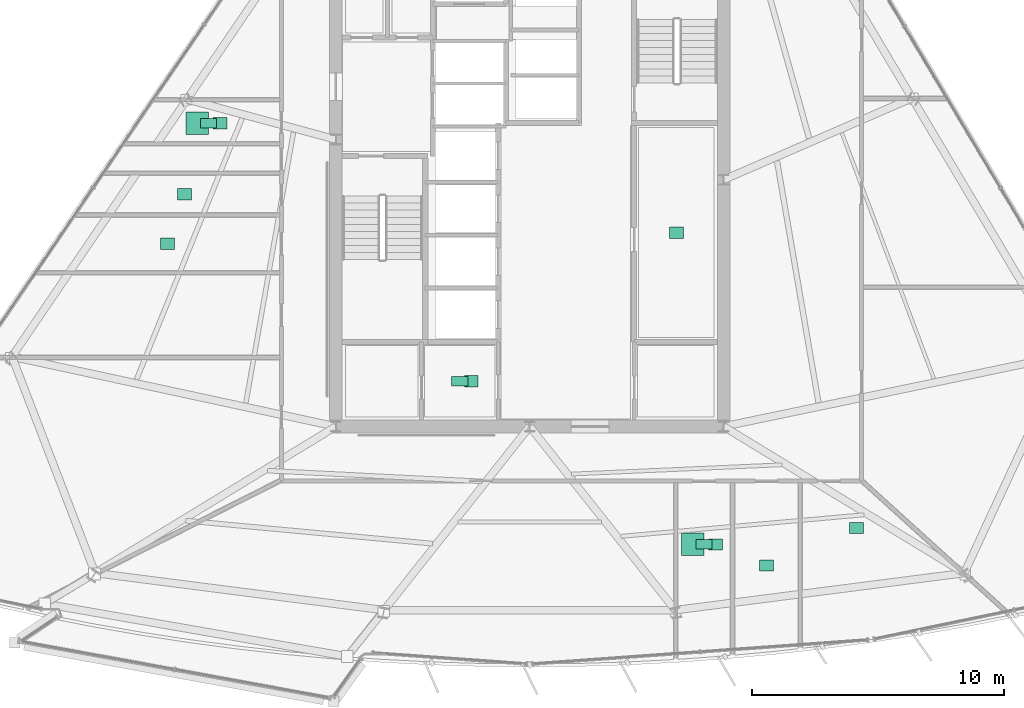
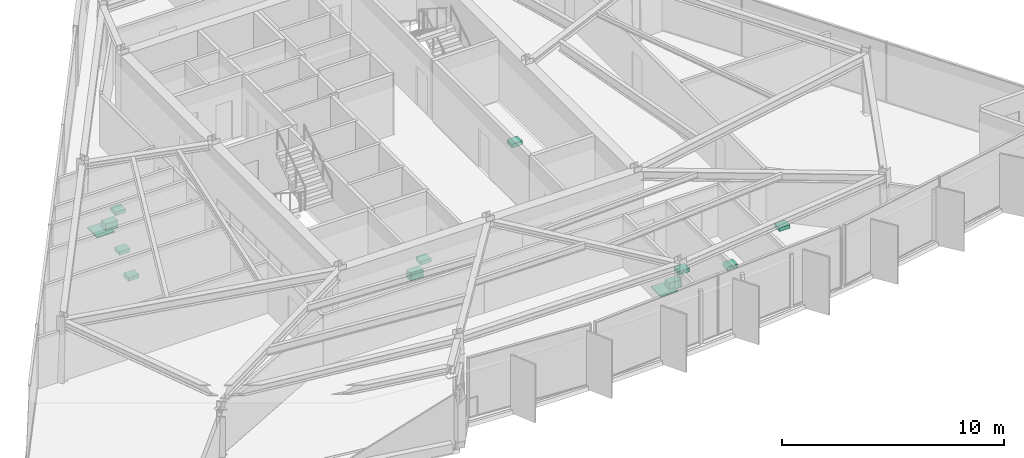
# One storey, part 14 of 14: 13 sanitary terminals.
"""IFC4 building model written with IfcOpenShell, lengths in metres."""

from ifc_helpers import new_model, si_unit, direction, frame, origin, origin_2d, place, context, subcontext, project, spatial, rectangle, extrude, material, type_object, element, save


model = new_model("IFC4")

# Units and contexts
model_context = context("Model", 3, precision=1e-05, world=origin(), true_north=direction((0.0, 1.0)))
body_context = subcontext(model_context, "Body", "Model", "MODEL_VIEW")
ifc_project = project(units=[si_unit("LENGTHUNIT", "METRE"), si_unit("AREAUNIT", "SQUARE_METRE"), si_unit("VOLUMEUNIT", "CUBIC_METRE"), si_unit("PLANEANGLEUNIT", "RADIAN"), si_unit("MASSUNIT", "GRAM", prefix="KILO")], contexts=[model_context])

# Site, building, storey
site_placement = place(None, origin())
site = spatial("IfcSite", under=ifc_project, at=site_placement, CompositionType="ELEMENT")
building_placement = place(site_placement, origin())
building = spatial("IfcBuilding", under=site, at=building_placement, Name="Savorim Split Tower", CompositionType="ELEMENT")
storey_placement = place(building_placement, frame((0.0, 0.0, 178.199951171875)))
storey = spatial("IfcBuildingStorey", under=building, at=storey_placement, Name="L47", CompositionType="ELEMENT", Elevation=178.199951171875)

# Sanitary terminals
ifc_material = material(Name="Vitreous China Sanitaryware")
sanitary_terminal_type_1 = type_object("IfcSanitaryTerminalType", Name="SAN-SHW-900", PredefinedType="SHOWER", material=ifc_material)
for number, where, z_axis, x_axis, name in (
    (1, (6.475341796875, -14.08447265625, 0.0), (0.0, 0.0, 1.0), (1.0, 0.0, 0.0), "L47 Shared Bathroom Shower"),
    (2, (-13.2080078125, 2.64794921875, 0.0), (0.0, 0.0, 1.0), (1.0, 0.0, 0.0), "L47 Shared Bathroom Shower"),
):
    element("IfcSanitaryTerminal", number, at=place(storey_placement, frame(where, z_axis=z_axis, x_axis=x_axis)), inside=storey, type_object=sanitary_terminal_type_1, Name=name, PredefinedType="SHOWER", context=body_context, shape_type="SweptSolid", body=[
        extrude(rectangle(XDim=0.89990234375, YDim=0.89990234375, at=origin_2d()), origin(), (0.0, 0.0, 1.0), 0.080078125),
    ])
sanitary_terminal_type_2 = type_object("IfcSanitaryTerminalType", Name="SAN-WC-PAN", PredefinedType="TOILETPAN", material=ifc_material)
for number, where, z_axis, x_axis, name in (
    (3, (-2.77490234375, -7.60009765625, 0.0), (0.0, 0.0, 1.0), (1.0, 0.0, 0.0), "L47 Accessible WC WC Pan"),
    (4, (6.92529296875, -14.08447265625, 0.0), (0.0, 0.0, 1.0), (1.0, 0.0, 0.0), "L47 Shared Bathroom WC Pan"),
    (5, (-12.7578125, 2.64794921875, 0.0), (0.0, 0.0, 1.0), (1.0, 0.0, 0.0), "L47 Shared Bathroom WC Pan"),
):
    element("IfcSanitaryTerminal", number, at=place(storey_placement, frame(where, z_axis=z_axis, x_axis=x_axis)), inside=storey, type_object=sanitary_terminal_type_2, Name=name, PredefinedType="TOILETPAN", context=body_context, shape_type="SweptSolid", body=[
        extrude(rectangle(XDim=0.64990234375, YDim=0.3798828125, at=origin_2d()), origin(), (0.0, 0.0, 1.0), 0.419921875),
    ])
sanitary_terminal_type_3 = type_object("IfcSanitaryTerminalType", Name="SAN-WHB-550", PredefinedType="WASHHANDBASIN", material=ifc_material)
for number, where, z_axis, x_axis, name in (
    (6, (5.824951171875, -1.699951171875, 0.75), (0.0, 0.0, 1.0), (1.0, 0.0, 0.0), "L47 Community Laundry Room Utility Sink"),
    (7, (-2.324951171875, -7.60009765625, 0.72021484375), (0.0, 0.0, 1.0), (1.0, 0.0, 0.0), "L47 Accessible WC Washhand Basin"),
    (8, (-13.7158203125, -0.168212890625, 0.75), (0.0, 0.0, 1.0), (1.0, 0.0, 0.0), "L47 Shared Kitchen Utility Sink"),
    (9, (-14.38818359375, -2.1455078125, 0.75), (0.0, 0.0, 1.0), (1.0, 0.0, 0.0), "L47 Community Laundry Room Utility Sink"),
    (10, (7.37548828125, -14.08447265625, 0.72021484375), (0.0, 0.0, 1.0), (1.0, 0.0, 0.0), "L47 Shared Bathroom Washhand Basin"),
    (11, (9.401611328125, -14.923583984375, 0.75), (0.0, 0.0, 1.0), (1.0, 0.0, 0.0), "L47 Shared Kitchen Utility Sink"),
    (12, (12.9814453125, -13.4296875, 0.75), (0.0, 0.0, 1.0), (1.0, 0.0, 0.0), "L47 Shared Kitchen Utility Sink"),
    (13, (-12.307861328125, 2.64794921875, 0.72021484375), (0.0, 0.0, 1.0), (1.0, 0.0, 0.0), "L47 Shared Bathroom Washhand Basin"),
):
    element("IfcSanitaryTerminal", number, at=place(storey_placement, frame(where, z_axis=z_axis, x_axis=x_axis)), inside=storey, type_object=sanitary_terminal_type_3, Name=name, PredefinedType="WASHHANDBASIN", context=body_context, shape_type="SweptSolid", body=[
        extrude(rectangle(XDim=0.550048828125, YDim=0.449951171875, at=origin_2d()), origin(), (0.0, 0.0, 1.0), 0.199951171875),
    ])

save(model, "model.ifc")
